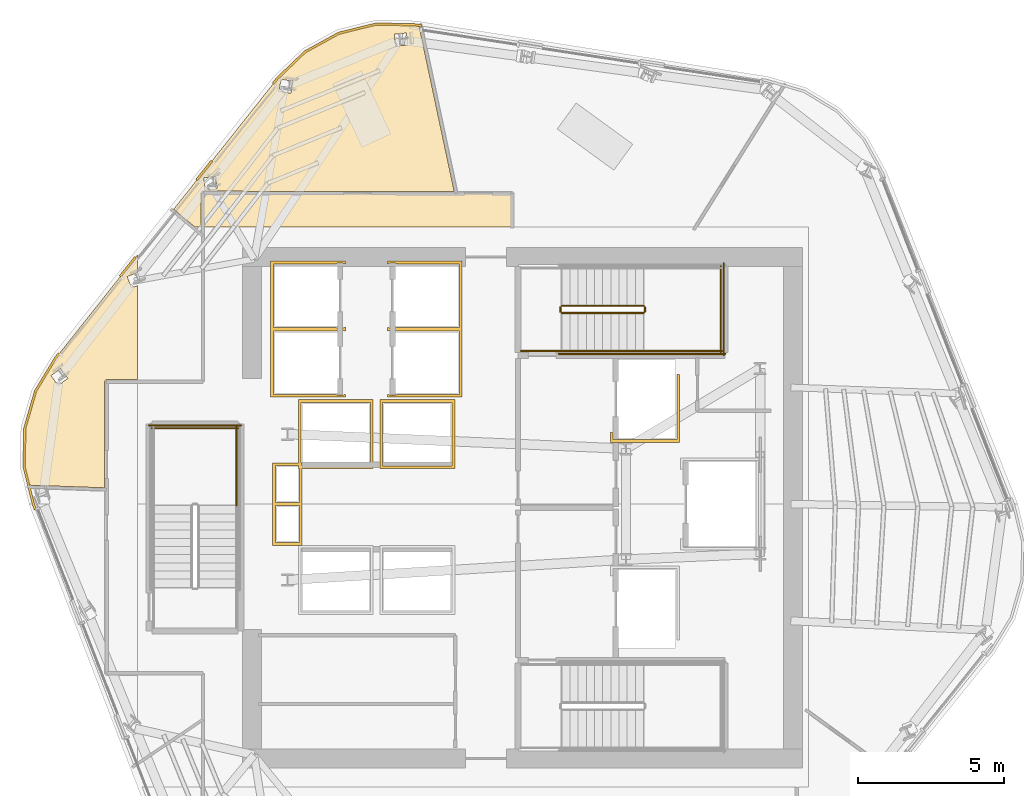
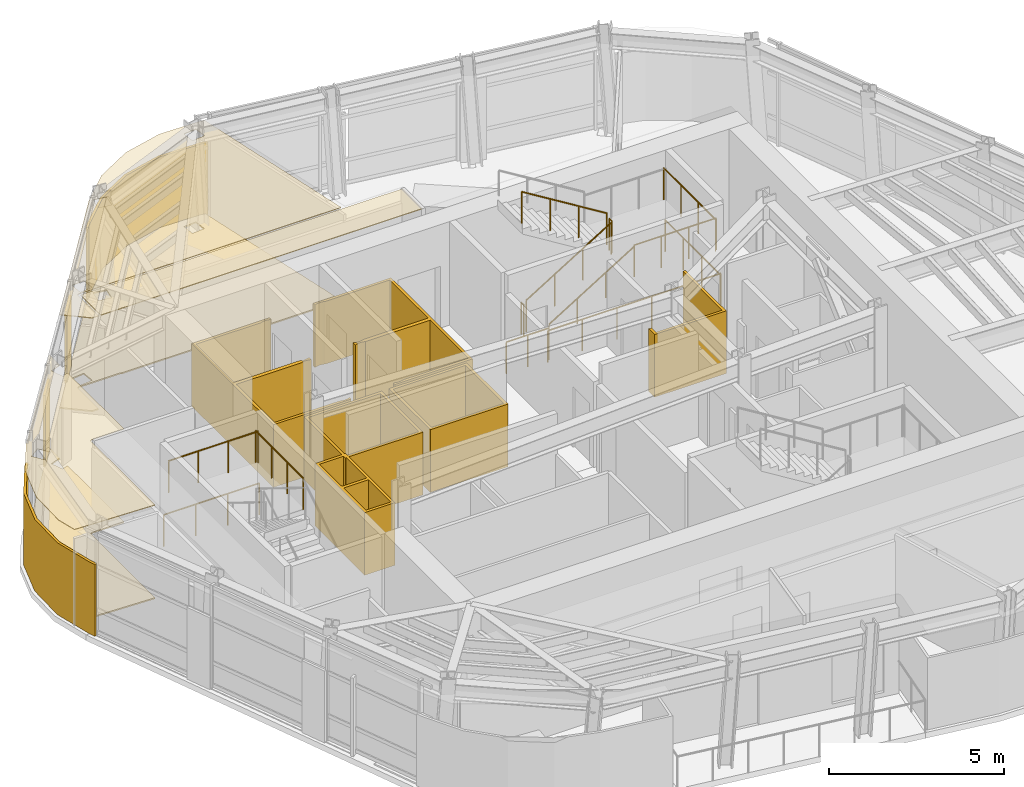
# One storey, part 10 of 12: 14 coverings, 13 railings.
"""IFC4 building model written with IfcOpenShell, lengths in metres."""

from ifc_helpers import new_model, si_unit, direction, frame, origin, origin_2d, place, context, subcontext, project, spatial, polyline, circle, outline, extrude, material, layer, layer_set, type_object, element, save


model = new_model("IFC4")

# Units and contexts
model_context = context("Model", 3, precision=1e-05, world=origin(), true_north=direction((0.0, 1.0)))
body_context = subcontext(model_context, "Body", "Model", "MODEL_VIEW")
ifc_project = project(units=[si_unit("LENGTHUNIT", "METRE"), si_unit("AREAUNIT", "SQUARE_METRE"), si_unit("VOLUMEUNIT", "CUBIC_METRE"), si_unit("PLANEANGLEUNIT", "RADIAN"), si_unit("MASSUNIT", "GRAM", prefix="KILO")], contexts=[model_context])

# Site, building, storey
site_placement = place(None, origin())
site = spatial("IfcSite", under=ifc_project, at=site_placement, CompositionType="ELEMENT")
building_placement = place(site_placement, origin())
building = spatial("IfcBuilding", under=site, at=building_placement, Name="Valkerne Bourse Tower", CompositionType="ELEMENT")
storey_placement = place(building_placement, frame((0.0, 0.0, 243.60009765625)))
storey = spatial("IfcBuildingStorey", under=building, at=storey_placement, Name="L62", CompositionType="ELEMENT", Elevation=243.60009765625)

# Coverings
ifc_material_1 = material(Name="Mineral Fiber Acoustic Ceiling Tile", Category="acoustic")
ifc_layer_1 = layer(ifc_material_1, 0.02490234375)
ifc_layer_set_1 = layer_set([ifc_layer_1], Name="Mineral Fiber Acoustic Ceiling Tile")
covering_type_1 = type_object("IfcCoveringType", Name="COV-CEIL-ACT", PredefinedType="CEILING", material=ifc_layer_set_1)
covering_1_placement = place(storey_placement, frame((0.0, 0.0, 3.25)))
element("IfcCovering", 1, at=covering_1_placement, inside=storey, type_object=covering_type_1, Name="L62 Suspended Ceiling 07", PredefinedType="CEILING", context=body_context, shape_type="SweptSolid", body=[
    extrude(outline(polyline([(30.1162109375, 30.87646484375), (30.804931640625, 32.013671875), (33.60009765625, 35.5380859375), (33.60009765625, 34.9345703125), (33.251220703125, 34.801513671875), (33.25, 34.799560546875), (33.398193359375, 34.412841796875), (33.60009765625, 34.48974609375), (33.60009765625, 31.26904296875), (32.549560546875, 31.26904296875), (32.52099609375, 31.2626953125), (32.498291015625, 31.245849609375), (32.48095703125, 31.20068359375), (32.48095703125, 27.55908203125), (29.877685546875, 27.64990234375), (29.720703125, 28.2900390625), (29.748291015625, 29.609375), (30.1162109375, 30.87646484375)]), holes=[polyline([(31.216552734375, 31.310546875), (30.97509765625, 31.64697265625), (30.640380859375, 31.40771484375), (30.6396484375, 31.405517578125), (30.881103515625, 31.069091796875), (31.2158203125, 31.30810546875), (31.216552734375, 31.310546875)])]), origin(), (0.0, 0.0, 1.0), 0.02490234375),
])
covering_2_placement = place(storey_placement, frame((0.0, 0.0, 3.25)))
element("IfcCovering", 2, at=covering_2_placement, inside=storey, type_object=covering_type_1, Name="L62 Suspended Ceiling 09", PredefinedType="CEILING", context=body_context, shape_type="SweptSolid", body=[
    extrude(outline(polyline([(40.50830078125, 43.13720703125), (41.789794921875, 43.451904296875), (43.118408203125, 43.424072265625), (43.253173828125, 43.40283203125), (44.46337890625, 37.708984375), (37.248046875, 37.708984375), (37.22900390625, 37.72265625), (37.200439453125, 37.72900390625), (35.839111328125, 37.728271484375), (35.79833984375, 37.7060546875), (35.781005859375, 37.66357421875), (35.781005859375, 36.5), (35.570068359375, 36.5), (34.84521484375, 37.108154296875), (38.39306640625, 41.581787109375), (39.35205078125, 42.50146484375), (40.50830078125, 43.13720703125)]), holes=[polyline([(36.32861328125, 37.814208984375), (36.330078125, 37.815673828125), (36.29248046875, 38.22802734375), (35.8828125, 38.19140625), (35.881103515625, 38.18994140625), (35.918701171875, 37.777587890625), (36.32861328125, 37.814208984375)]), polyline([(38.864501953125, 41.08740234375), (38.932373046875, 41.495849609375), (38.52685546875, 41.564208984375), (38.524658203125, 41.56298828125), (38.456787109375, 41.154541015625), (38.8623046875, 41.086181640625), (38.864501953125, 41.08740234375)]), polyline([(42.865234375, 42.739990234375), (42.824951171875, 43.14990234375), (42.413330078125, 43.109619140625), (42.4111328125, 43.10888671875), (42.451416015625, 42.69921875), (42.863037109375, 42.739501953125), (42.865234375, 42.739990234375)])]), origin(), (0.0, 0.0, 1.0), 0.02490234375),
])
ifc_material_2 = material(Name="Bronze Anodised Aluminium AA 6063-T6", Category="aluminium")
ifc_layer_2 = layer(ifc_material_2, 0.030029296875)
ifc_layer_set_2 = layer_set([ifc_layer_2], Name="Bronze Anodised Aluminium AA 6063-T6")
covering_type_2 = type_object("IfcCoveringType", Name="COV-CEIL-METAL", PredefinedType="CEILING", material=ifc_layer_set_2)
covering_3_placement = place(storey_placement, frame((0.0, 0.0, 3.25)))
element("IfcCovering", 3, at=covering_3_placement, inside=storey, type_object=covering_type_2, Name="L62 Suspended Ceiling 03", PredefinedType="CEILING", context=body_context, shape_type="SweptSolid", body=[
    extrude(outline(polyline([(35.85400390625, 37.656005859375), (37.196044921875, 37.656005859375), (37.196044921875, 37.635986328125), (46.446044921875, 37.635986328125), (46.446044921875, 36.5), (35.85400390625, 36.5), (35.85400390625, 37.656005859375)])), origin(), (0.0, 0.0, 1.0), 0.02490234375),
])
ifc_layer_3 = layer(ifc_material_2, 0.06005859375)
ifc_layer_set_3 = layer_set([ifc_layer_3], Name="Bronze Anodised Aluminium AA 6063-T6")
covering_type_3 = type_object("IfcCoveringType", Name="COV-CRN-ALUM", PredefinedType="CLADDING", material=ifc_layer_set_3)
covering_4_placement = place(storey_placement, origin())
element("IfcCovering", 4, at=covering_4_placement, inside=storey, type_object=covering_type_3, Name="L62 Wind-Shaped Corner Aluminium Cladding 04", PredefinedType="CLADDING", context=body_context, shape_type="SweptSolid", body=[
    extrude(outline(polyline([(29.99560546875, 26.98583984375), (29.676513671875, 28.28515625), (29.704345703125, 29.615966796875), (30.07568359375, 30.894287109375), (30.768798828125, 32.038818359375), (30.888671875, 32.18994140625), (30.951171875, 32.139892578125), (30.834716796875, 31.992919921875), (30.1494140625, 30.86181640625), (29.7841796875, 29.603759765625), (29.756591796875, 28.2939453125), (30.072021484375, 27.009765625), (30.139404296875, 26.834716796875), (30.064697265625, 26.8056640625), (29.99560546875, 26.98583984375)])), origin(), (0.0, 0.0, 1.0), 2.5),
])
covering_5_placement = place(storey_placement, origin())
element("IfcCovering", 5, at=covering_5_placement, inside=storey, type_object=covering_type_3, Name="L62 Wind-Shaped Corner Aluminium Cladding 05", PredefinedType="CLADDING", context=body_context, shape_type="SweptSolid", body=[
    extrude(outline(polyline([(33.506103515625, 35.490234375), (33.568359375, 35.440185546875), (33.04638671875, 34.781982421875), (32.98388671875, 34.83203125), (33.506103515625, 35.490234375)])), origin(), (0.0, 0.0, 1.0), 2.5),
])
covering_6_placement = place(storey_placement, origin())
element("IfcCovering", 6, at=covering_6_placement, inside=storey, type_object=covering_type_3, Name="L62 Wind-Shaped Corner Aluminium Cladding 06", PredefinedType="CLADDING", context=body_context, shape_type="SweptSolid", body=[
    extrude(outline(polyline([(36.123291015625, 38.79052734375), (36.185546875, 38.740478515625), (35.663818359375, 38.082275390625), (35.601318359375, 38.13232421875), (36.123291015625, 38.79052734375)])), origin(), (0.0, 0.0, 1.0), 2.5),
])
covering_7_placement = place(storey_placement, origin())
element("IfcCovering", 7, at=covering_7_placement, inside=storey, type_object=covering_type_3, Name="L62 Wind-Shaped Corner Aluminium Cladding 07", PredefinedType="CLADDING", context=body_context, shape_type="SweptSolid", body=[
    extrude(outline(polyline([(38.3603515625, 41.611572265625), (39.32568359375, 42.537109375), (40.4921875, 43.178466796875), (41.784912109375, 43.49609375), (43.122314453125, 43.468017578125), (43.347900390625, 43.432373046875), (43.335693359375, 43.353271484375), (43.114990234375, 43.38818359375), (41.793701171875, 43.415771484375), (40.521484375, 43.103271484375), (39.37353515625, 42.47216796875), (38.419677734375, 41.5576171875), (38.281005859375, 41.382568359375), (38.218505859375, 41.4326171875), (38.3603515625, 41.611572265625)])), origin(), (0.0, 0.0, 1.0), 2.5),
])
ifc_material_3 = material(Name="Galvanised Painted Steel", Category="steel")
ifc_layer_4 = layer(ifc_material_3, 0.044921875)
ifc_layer_set_4 = layer_set([ifc_layer_4], Name="Galvanised Painted Steel")
covering_type_4 = type_object("IfcCoveringType", Name="COV-FLR-RAF", PredefinedType="FLOORING", material=ifc_layer_set_4)
covering_8_placement = place(storey_placement, origin())
element("IfcCovering", 8, at=covering_8_placement, inside=storey, type_object=covering_type_4, Name="L62 Floor Finish 07", PredefinedType="FLOORING", context=body_context, shape_type="SweptSolid", body=[
    extrude(outline(polyline([(30.1162109375, 30.87646484375), (30.804931640625, 32.013671875), (33.60009765625, 35.5380859375), (33.60009765625, 34.9345703125), (33.251220703125, 34.801513671875), (33.25, 34.799560546875), (33.398193359375, 34.412841796875), (33.60009765625, 34.48974609375), (33.60009765625, 31.26904296875), (32.549560546875, 31.26904296875), (32.52099609375, 31.2626953125), (32.498291015625, 31.245849609375), (32.48095703125, 31.20068359375), (32.48095703125, 27.55908203125), (29.877685546875, 27.64990234375), (29.720703125, 28.2900390625), (29.748291015625, 29.609375), (30.1162109375, 30.87646484375)]), holes=[polyline([(31.216552734375, 31.310546875), (30.97509765625, 31.64697265625), (30.640380859375, 31.40771484375), (30.6396484375, 31.405517578125), (30.881103515625, 31.069091796875), (31.2158203125, 31.30810546875), (31.216552734375, 31.310546875)])]), origin(), (0.0, 0.0, 1.0), 0.044921875),
])
covering_9_placement = place(storey_placement, origin())
element("IfcCovering", 9, at=covering_9_placement, inside=storey, type_object=covering_type_4, Name="L62 Floor Finish 09", PredefinedType="FLOORING", context=body_context, shape_type="SweptSolid", body=[
    extrude(outline(polyline([(40.50830078125, 43.13720703125), (41.789794921875, 43.451904296875), (43.118408203125, 43.424072265625), (43.253173828125, 43.40283203125), (44.46337890625, 37.708984375), (37.248046875, 37.708984375), (37.22900390625, 37.72265625), (37.200439453125, 37.72900390625), (35.839111328125, 37.728271484375), (35.79833984375, 37.7060546875), (35.781005859375, 37.66357421875), (35.781005859375, 36.5), (35.570068359375, 36.5), (34.84521484375, 37.108154296875), (38.39306640625, 41.581787109375), (39.35205078125, 42.50146484375), (40.50830078125, 43.13720703125)]), holes=[polyline([(36.32861328125, 37.814208984375), (36.330078125, 37.815673828125), (36.29248046875, 38.22802734375), (35.8828125, 38.19140625), (35.881103515625, 38.18994140625), (35.918701171875, 37.777587890625), (36.32861328125, 37.814208984375)]), polyline([(38.864501953125, 41.08740234375), (38.932373046875, 41.495849609375), (38.52685546875, 41.564208984375), (38.524658203125, 41.56298828125), (38.456787109375, 41.154541015625), (38.8623046875, 41.086181640625), (38.864501953125, 41.08740234375)]), polyline([(42.865234375, 42.739990234375), (42.824951171875, 43.14990234375), (42.413330078125, 43.109619140625), (42.4111328125, 43.10888671875), (42.451416015625, 42.69921875), (42.863037109375, 42.739501953125), (42.865234375, 42.739990234375)])]), origin(), (0.0, 0.0, 1.0), 0.044921875),
])
ifc_material_4 = material(Name="Gypsum Shaftwall Liner Board", Category="gypsum")
ifc_layer_5 = layer(ifc_material_4, 0.080078125)
ifc_layer_set_5 = layer_set([ifc_layer_5], Name="Gypsum Shaftwall Liner Board")
covering_type_5 = type_object("IfcCoveringType", Name="COV-SHF-CLAD", PredefinedType="CLADDING", material=ifc_layer_set_5)
covering_10_placement = place(storey_placement, origin())
element("IfcCovering", 10, at=covering_10_placement, inside=storey, type_object=covering_type_5, Name="L62 Hoistway & Riser Shaftwall Liner 03", PredefinedType="CLADDING", context=body_context, shape_type="SweptSolid", body=[
    extrude(outline(polyline([(38.239990234375, 28.409912109375), (39.1201171875, 28.409912109375), (39.1201171875, 30.580078125), (41.679931640625, 30.580078125), (41.679931640625, 28.219970703125), (39.239990234375, 28.219970703125), (39.239990234375, 27.0400390625), (39.239990234375, 26.9599609375), (39.239990234375, 25.590087890625), (38.239990234375, 25.590087890625), (38.239990234375, 26.9599609375), (38.239990234375, 27.0400390625), (38.239990234375, 28.409912109375)]), holes=[polyline([(38.330078125, 26.949951171875), (38.330078125, 25.679931640625), (39.14990234375, 25.679931640625), (39.14990234375, 26.949951171875), (38.330078125, 26.949951171875)]), polyline([(39.2099609375, 30.489990234375), (39.2099609375, 28.409912109375), (39.239990234375, 28.409912109375), (39.239990234375, 28.31005859375), (41.590087890625, 28.31005859375), (41.590087890625, 30.489990234375), (39.2099609375, 30.489990234375)]), polyline([(38.330078125, 27.050048828125), (39.14990234375, 27.050048828125), (39.14990234375, 28.219970703125), (39.1201171875, 28.219970703125), (39.1201171875, 28.320068359375), (38.330078125, 28.320068359375), (38.330078125, 27.050048828125)])]), origin(), (0.0, 0.0, 1.0), 2.179931640625),
])
covering_11_placement = place(storey_placement, origin())
element("IfcCovering", 11, at=covering_11_placement, inside=storey, type_object=covering_type_5, Name="L62 Hoistway & Riser Shaftwall Liner 04", PredefinedType="CLADDING", context=body_context, shape_type="SweptSolid", body=[
    extrude(outline(polyline([(38.169921875, 35.330078125), (40.72998046875, 35.330078125), (40.72998046875, 35.232177734375), (40.72216796875, 35.235595703125), (40.6806640625, 35.25048828125), (40.6376953125, 35.261474609375), (40.593994140625, 35.267822265625), (40.550048828125, 35.27001953125), (40.505859375, 35.267822265625), (40.462158203125, 35.261474609375), (40.41943359375, 35.25048828125), (40.3896484375, 35.239990234375), (38.260009765625, 35.239990234375), (38.260009765625, 33.06005859375), (40.3896484375, 33.06005859375), (40.41943359375, 33.04931640625), (40.462158203125, 33.03857421875), (40.505859375, 33.0322265625), (40.550048828125, 33.030029296875), (40.593994140625, 33.0322265625), (40.6376953125, 33.03857421875), (40.6806640625, 33.04931640625), (40.72216796875, 33.064208984375), (40.72998046875, 33.06787109375), (40.72998046875, 33.030029296875), (40.72998046875, 32.969970703125), (40.72998046875, 32.93212890625), (40.72216796875, 32.935791015625), (40.6806640625, 32.95068359375), (40.6376953125, 32.96142578125), (40.593994140625, 32.9677734375), (40.550048828125, 32.969970703125), (40.505859375, 32.9677734375), (40.462158203125, 32.96142578125), (40.41943359375, 32.95068359375), (40.3896484375, 32.93994140625), (38.260009765625, 32.93994140625), (38.260009765625, 30.760009765625), (40.3896484375, 30.760009765625), (40.41943359375, 30.74951171875), (40.462158203125, 30.738525390625), (40.505859375, 30.732177734375), (40.550048828125, 30.72998046875), (40.593994140625, 30.732177734375), (40.6376953125, 30.738525390625), (40.6806640625, 30.74951171875), (40.72216796875, 30.764404296875), (40.72998046875, 30.767822265625), (40.72998046875, 30.669921875), (38.169921875, 30.669921875), (38.169921875, 32.969970703125), (38.169921875, 33.030029296875), (38.169921875, 35.330078125)])), origin(), (0.0, 0.0, 1.0), 2.179931640625),
])
covering_12_placement = place(storey_placement, origin())
element("IfcCovering", 12, at=covering_12_placement, inside=storey, type_object=covering_type_5, Name="L62 Hoistway & Riser Shaftwall Liner 07", PredefinedType="CLADDING", context=body_context, shape_type="SweptSolid", body=[
    extrude(outline(polyline([(44.47998046875, 28.219970703125), (41.919921875, 28.219970703125), (41.919921875, 30.580078125), (44.47998046875, 30.580078125), (44.47998046875, 28.219970703125)]), holes=[polyline([(42.010009765625, 30.489990234375), (42.010009765625, 28.31005859375), (44.389892578125, 28.31005859375), (44.389892578125, 30.489990234375), (42.010009765625, 30.489990234375)])]), origin(), (0.0, 0.0, 1.0), 2.179931640625),
])
covering_13_placement = place(storey_placement, origin())
element("IfcCovering", 13, at=covering_13_placement, inside=storey, type_object=covering_type_5, Name="L62 Hoistway & Riser Shaftwall Liner 08", PredefinedType="CLADDING", context=body_context, shape_type="SweptSolid", body=[
    extrude(outline(polyline([(49.820068359375, 29.1201171875), (49.820068359375, 29.468017578125), (49.827880859375, 29.46435546875), (49.869384765625, 29.449462890625), (49.909912109375, 29.439208984375), (49.909912109375, 29.2099609375), (52.090087890625, 29.2099609375), (52.090087890625, 31.449951171875), (52.179931640625, 31.449951171875), (52.179931640625, 29.1201171875), (49.820068359375, 29.1201171875)])), origin(), (0.0, 0.0, 1.0), 2.179931640625),
])
covering_14_placement = place(storey_placement, origin())
element("IfcCovering", 14, at=covering_14_placement, inside=storey, type_object=covering_type_5, Name="L62 Hoistway & Riser Shaftwall Liner 09", PredefinedType="CLADDING", context=body_context, shape_type="SweptSolid", body=[
    extrude(outline(polyline([(42.169921875, 33.06787109375), (42.177734375, 33.064208984375), (42.219482421875, 33.04931640625), (42.26220703125, 33.03857421875), (42.305908203125, 33.0322265625), (42.35009765625, 33.030029296875), (42.39404296875, 33.0322265625), (42.437744140625, 33.03857421875), (42.480712890625, 33.04931640625), (42.51025390625, 33.06005859375), (44.639892578125, 33.06005859375), (44.639892578125, 35.239990234375), (42.51025390625, 35.239990234375), (42.480712890625, 35.25048828125), (42.437744140625, 35.261474609375), (42.39404296875, 35.267822265625), (42.35009765625, 35.27001953125), (42.305908203125, 35.267822265625), (42.26220703125, 35.261474609375), (42.219482421875, 35.25048828125), (42.177734375, 35.235595703125), (42.169921875, 35.232177734375), (42.169921875, 35.330078125), (44.72998046875, 35.330078125), (44.72998046875, 33.030029296875), (44.72998046875, 32.969970703125), (44.72998046875, 30.669921875), (42.169921875, 30.669921875), (42.169921875, 30.767822265625), (42.177734375, 30.764404296875), (42.219482421875, 30.74951171875), (42.26220703125, 30.738525390625), (42.305908203125, 30.732177734375), (42.35009765625, 30.72998046875), (42.39404296875, 30.732177734375), (42.437744140625, 30.738525390625), (42.480712890625, 30.74951171875), (42.51025390625, 30.760009765625), (44.639892578125, 30.760009765625), (44.639892578125, 32.93994140625), (42.51025390625, 32.93994140625), (42.480712890625, 32.95068359375), (42.437744140625, 32.96142578125), (42.39404296875, 32.9677734375), (42.35009765625, 32.969970703125), (42.305908203125, 32.9677734375), (42.26220703125, 32.96142578125), (42.219482421875, 32.95068359375), (42.177734375, 32.935791015625), (42.169921875, 32.93212890625), (42.169921875, 32.969970703125), (42.169921875, 33.030029296875), (42.169921875, 33.06787109375)])), origin(), (0.0, 0.0, 1.0), 2.179931640625),
])

# Railings
railing_type_1 = type_object("IfcRailingType", Name="RLG-ST-GUARD-1120", PredefinedType="GUARDRAIL", material=ifc_material_3)
railing_1_placement = place(storey_placement, frame((48.14990234375, 33.550048828125, 0.172607421875)))
element("IfcRailing", 15, at=railing_1_placement, inside=storey, type_object=railing_type_1, Name="L62 ST-2 stair guard 1", PredefinedType="GUARDRAIL", context=body_context, shape_type="SweptSolid", body=[
    extrude(circle(Radius=0.02392578125, at=origin_2d()), frame((0.0, 0.0, 1.09619140625), z_axis=(0.851089632645, 0.0, 0.525020415988), x_axis=(0.0, 1.0, 0.0)), (0.0, 0.0, 1.0), 3.2900390625),
    extrude(circle(Radius=0.02099609375, at=origin_2d()), origin(), (0.0, 0.0, 1.0), 1.072021484375),
    extrude(circle(Radius=0.02099609375, at=origin_2d()), frame((0.933349609375, 0.0, 0.57568359375)), (0.0, 0.0, 1.0), 1.072021484375),
    extrude(circle(Radius=0.02099609375, at=origin_2d()), frame((1.86669921875, 0.0, 1.151611328125)), (0.0, 0.0, 1.0), 1.072021484375),
    extrude(circle(Radius=0.02099609375, at=origin_2d()), frame((2.800048828125, 0.0, 1.727294921875)), (0.0, 0.0, 1.0), 1.072021484375),
])
railing_2_placement = place(storey_placement, frame((51.0, 33.60009765625, 1.89990234375)))
element("IfcRailing", 16, at=railing_2_placement, inside=storey, type_object=railing_type_1, Name="L62 ST-2 stair guard 2", PredefinedType="GUARDRAIL", context=body_context, shape_type="SweptSolid", body=[
    extrude(circle(Radius=0.02392578125, at=origin_2d()), frame((0.0, 0.0, 1.09619140625), z_axis=(0.0, 1.0, 0.0), x_axis=(-1.0, 0.0, 0.0)), (0.0, 0.0, 1.0), 0.14990234375),
    extrude(circle(Radius=0.02099609375, at=origin_2d()), origin(), (0.0, 0.0, 1.0), 1.072021484375),
    extrude(circle(Radius=0.02099609375, at=origin_2d()), frame((0.0, 0.14990234375, 0.0)), (0.0, 0.0, 1.0), 1.072021484375),
])
railing_3_placement = place(storey_placement, frame((50.949951171875, 32.25, 1.89990234375)))
element("IfcRailing", 17, at=railing_3_placement, inside=storey, type_object=railing_type_1, Name="L62 ST-2 stair guard 3", PredefinedType="GUARDRAIL", context=body_context, shape_type="SweptSolid", body=[
    extrude(circle(Radius=0.02392578125, at=origin_2d()), frame((0.0, 0.0, 1.09619140625), z_axis=(1.0, 0.0, 0.0), x_axis=(0.0, 1.0, 0.0)), (0.0, 0.0, 1.0), 2.699951171875),
    extrude(circle(Radius=0.02099609375, at=origin_2d()), origin(), (0.0, 0.0, 1.0), 1.072021484375),
    extrude(circle(Radius=0.02099609375, at=origin_2d()), frame((0.89990234375, 0.0, 0.0)), (0.0, 0.0, 1.0), 1.072021484375),
    extrude(circle(Radius=0.02099609375, at=origin_2d()), frame((1.800048828125, 0.0, 0.0)), (0.0, 0.0, 1.0), 1.072021484375),
    extrude(circle(Radius=0.02099609375, at=origin_2d()), frame((2.699951171875, 0.0, 0.0)), (0.0, 0.0, 1.0), 1.072021484375),
])
railing_4_placement = place(storey_placement, frame((53.60009765625, 32.199951171875, 1.89990234375)))
element("IfcRailing", 18, at=railing_4_placement, inside=storey, type_object=railing_type_1, Name="L62 ST-2 stair guard 5", PredefinedType="GUARDRAIL", context=body_context, shape_type="SweptSolid", body=[
    extrude(circle(Radius=0.02392578125, at=origin_2d()), frame((0.0, 0.0, 1.09619140625), z_axis=(0.0, 1.0, 0.0), x_axis=(-1.0, 0.0, 0.0)), (0.0, 0.0, 1.0), 2.949951171875),
    extrude(circle(Radius=0.02099609375, at=origin_2d()), origin(), (0.0, 0.0, 1.0), 1.072021484375),
    extrude(circle(Radius=0.02099609375, at=origin_2d()), frame((0.0, 0.9833984375, 0.0)), (0.0, 0.0, 1.0), 1.072021484375),
    extrude(circle(Radius=0.02099609375, at=origin_2d()), frame((0.0, 1.966552734375, 0.0)), (0.0, 0.0, 1.0), 1.072021484375),
    extrude(circle(Radius=0.02099609375, at=origin_2d()), frame((0.0, 2.949951171875, 0.0)), (0.0, 0.0, 1.0), 1.072021484375),
])
railing_5_placement = place(storey_placement, frame((50.949951171875, 33.800048828125, 2.072509765625)))
element("IfcRailing", 19, at=railing_5_placement, inside=storey, type_object=railing_type_1, Name="L62 ST-2 stair guard 6", PredefinedType="GUARDRAIL", context=body_context, shape_type="SweptSolid", body=[
    extrude(circle(Radius=0.02392578125, at=origin_2d()), frame((0.0, 0.0, 1.09619140625), z_axis=(-0.851089632645, 0.0, 0.525020415988), x_axis=(0.0, -1.0, 0.0)), (0.0, 0.0, 1.0), 3.2900390625),
    extrude(circle(Radius=0.02099609375, at=origin_2d()), origin(), (0.0, 0.0, 1.0), 1.072021484375),
    extrude(circle(Radius=0.02099609375, at=origin_2d()), frame((-0.933349609375, 0.0, 0.57568359375)), (0.0, 0.0, 1.0), 1.072021484375),
    extrude(circle(Radius=0.02099609375, at=origin_2d()), frame((-1.86669921875, 0.0, 1.151611328125)), (0.0, 0.0, 1.0), 1.072021484375),
    extrude(circle(Radius=0.02099609375, at=origin_2d()), frame((-2.800048828125, 0.0, 1.727294921875)), (0.0, 0.0, 1.0), 1.072021484375),
])
railing_6_placement = place(storey_placement, frame((48.10009765625, 33.60009765625, 0.0)))
element("IfcRailing", 20, at=railing_6_placement, inside=storey, type_object=railing_type_1, Name="L62 ST-2 stair guard 7", PredefinedType="GUARDRAIL", context=body_context, shape_type="SweptSolid", body=[
    extrude(circle(Radius=0.02392578125, at=origin_2d()), frame((0.0, 0.0, 1.09619140625), z_axis=(0.0, 1.0, 0.0), x_axis=(-1.0, 0.0, 0.0)), (0.0, 0.0, 1.0), 0.14990234375),
    extrude(circle(Radius=0.02099609375, at=origin_2d()), origin(), (0.0, 0.0, 1.0), 1.072021484375),
    extrude(circle(Radius=0.02099609375, at=origin_2d()), frame((0.0, 0.14990234375, 0.0)), (0.0, 0.0, 1.0), 1.072021484375),
])
railing_7_placement = place(storey_placement, frame((46.75, 32.25, 0.0)))
element("IfcRailing", 21, at=railing_7_placement, inside=storey, type_object=railing_type_1, Name="L62 ST-2 stair guard 8", PredefinedType="GUARDRAIL", context=body_context, shape_type="SweptSolid", body=[
    extrude(circle(Radius=0.02392578125, at=origin_2d()), frame((0.0, 0.0, 1.09619140625), z_axis=(1.0, 0.0, 0.0), x_axis=(0.0, 1.0, 0.0)), (0.0, 0.0, 1.0), 1.39990234375),
    extrude(circle(Radius=0.02099609375, at=origin_2d()), origin(), (0.0, 0.0, 1.0), 1.072021484375),
    extrude(circle(Radius=0.02099609375, at=origin_2d()), frame((0.699951171875, 0.0, 0.0)), (0.0, 0.0, 1.0), 1.072021484375),
    extrude(circle(Radius=0.02099609375, at=origin_2d()), frame((1.39990234375, 0.0, 0.0)), (0.0, 0.0, 1.0), 1.072021484375),
])
railing_8_placement = place(storey_placement, frame((48.050048828125, 32.14990234375, 0.0)))
element("IfcRailing", 22, at=railing_8_placement, inside=storey, type_object=railing_type_1, Name="L62 ST-2 stair guard 10", PredefinedType="GUARDRAIL", context=body_context, shape_type="SweptSolid", body=[
    extrude(circle(Radius=0.02392578125, at=origin_2d()), frame((0.0, 0.0, 1.09619140625), z_axis=(1.0, 0.0, 0.0), x_axis=(0.0, 1.0, 0.0)), (0.0, 0.0, 1.0), 5.699951171875),
    extrude(circle(Radius=0.02099609375, at=origin_2d()), origin(), (0.0, 0.0, 1.0), 1.072021484375),
    extrude(circle(Radius=0.02099609375, at=origin_2d()), frame((1.139892578125, 0.0, 0.0)), (0.0, 0.0, 1.0), 1.072021484375),
    extrude(circle(Radius=0.02099609375, at=origin_2d()), frame((2.280029296875, 0.0, 0.0)), (0.0, 0.0, 1.0), 1.072021484375),
    extrude(circle(Radius=0.02099609375, at=origin_2d()), frame((3.419921875, 0.0, 0.0)), (0.0, 0.0, 1.0), 1.072021484375),
    extrude(circle(Radius=0.02099609375, at=origin_2d()), frame((4.56005859375, 0.0, 0.0)), (0.0, 0.0, 1.0), 1.072021484375),
    extrude(circle(Radius=0.02099609375, at=origin_2d()), frame((5.699951171875, 0.0, 0.0)), (0.0, 0.0, 1.0), 1.072021484375),
])
railing_9_placement = place(storey_placement, frame((53.699951171875, 32.10009765625, 0.0)))
element("IfcRailing", 23, at=railing_9_placement, inside=storey, type_object=railing_type_1, Name="L62 ST-2 stair guard 12", PredefinedType="GUARDRAIL", context=body_context, shape_type="SweptSolid", body=[
    extrude(circle(Radius=0.02392578125, at=origin_2d()), frame((0.0, 0.0, 1.09619140625), z_axis=(0.0, 1.0, 0.0), x_axis=(-1.0, 0.0, 0.0)), (0.0, 0.0, 1.0), 3.14990234375),
    extrude(circle(Radius=0.02099609375, at=origin_2d()), origin(), (0.0, 0.0, 1.0), 1.072021484375),
    extrude(circle(Radius=0.02099609375, at=origin_2d()), frame((0.0, 1.050048828125, 0.0)), (0.0, 0.0, 1.0), 1.072021484375),
    extrude(circle(Radius=0.02099609375, at=origin_2d()), frame((0.0, 2.099853515625, 0.0)), (0.0, 0.0, 1.0), 1.072021484375),
    extrude(circle(Radius=0.02099609375, at=origin_2d()), frame((0.0, 3.14990234375, 0.0)), (0.0, 0.0, 1.0), 1.072021484375),
])
railing_10_placement = place(storey_placement, frame((37.0, 26.949951171875, 1.89990234375)))
element("IfcRailing", 24, at=railing_10_placement, inside=storey, type_object=railing_type_1, Name="L62 ST-3 stair guard 3", PredefinedType="GUARDRAIL", context=body_context, shape_type="SweptSolid", body=[
    extrude(circle(Radius=0.02392578125, at=origin_2d()), frame((0.0, 0.0, 1.09619140625), z_axis=(0.0, 1.0, 0.0), x_axis=(-1.0, 0.0, 0.0)), (0.0, 0.0, 1.0), 2.699951171875),
    extrude(circle(Radius=0.02099609375, at=origin_2d()), origin(), (0.0, 0.0, 1.0), 1.072021484375),
    extrude(circle(Radius=0.02099609375, at=origin_2d()), frame((0.0, 0.89990234375, 0.0)), (0.0, 0.0, 1.0), 1.072021484375),
    extrude(circle(Radius=0.02099609375, at=origin_2d()), frame((0.0, 1.800048828125, 0.0)), (0.0, 0.0, 1.0), 1.072021484375),
    extrude(circle(Radius=0.02099609375, at=origin_2d()), frame((0.0, 2.699951171875, 0.0)), (0.0, 0.0, 1.0), 1.072021484375),
])
railing_11_placement = place(storey_placement, frame((37.050048828125, 29.60009765625, 1.89990234375)))
element("IfcRailing", 25, at=railing_11_placement, inside=storey, type_object=railing_type_1, Name="L62 ST-3 stair guard 5", PredefinedType="GUARDRAIL", context=body_context, shape_type="SweptSolid", body=[
    extrude(circle(Radius=0.02392578125, at=origin_2d()), frame((0.0, 0.0, 1.09619140625), z_axis=(-1.0, 0.0, 0.0), x_axis=(0.0, -1.0, 0.0)), (0.0, 0.0, 1.0), 2.949951171875),
    extrude(circle(Radius=0.02099609375, at=origin_2d()), origin(), (0.0, 0.0, 1.0), 1.072021484375),
    extrude(circle(Radius=0.02099609375, at=origin_2d()), frame((-0.9833984375, 0.0, 0.0)), (0.0, 0.0, 1.0), 1.072021484375),
    extrude(circle(Radius=0.02099609375, at=origin_2d()), frame((-1.966552734375, 0.0, 0.0)), (0.0, 0.0, 1.0), 1.072021484375),
    extrude(circle(Radius=0.02099609375, at=origin_2d()), frame((-2.949951171875, 0.0, 0.0)), (0.0, 0.0, 1.0), 1.072021484375),
])
railing_12_placement = place(storey_placement, frame((37.14990234375, 29.699951171875, 0.0)))
element("IfcRailing", 26, at=railing_12_placement, inside=storey, type_object=railing_type_1, Name="L62 ST-3 stair guard 12", PredefinedType="GUARDRAIL", context=body_context, shape_type="SweptSolid", body=[
    extrude(circle(Radius=0.02392578125, at=origin_2d()), frame((0.0, 0.0, 1.09619140625), z_axis=(-1.0, 0.0, 0.0), x_axis=(0.0, -1.0, 0.0)), (0.0, 0.0, 1.0), 3.14990234375),
    extrude(circle(Radius=0.02099609375, at=origin_2d()), origin(), (0.0, 0.0, 1.0), 1.072021484375),
    extrude(circle(Radius=0.02099609375, at=origin_2d()), frame((-1.050048828125, 0.0, 0.0)), (0.0, 0.0, 1.0), 1.072021484375),
    extrude(circle(Radius=0.02099609375, at=origin_2d()), frame((-2.099853515625, 0.0, 0.0)), (0.0, 0.0, 1.0), 1.072021484375),
    extrude(circle(Radius=0.02099609375, at=origin_2d()), frame((-3.14990234375, 0.0, 0.0)), (0.0, 0.0, 1.0), 1.072021484375),
])
ifc_material_5 = material(Name="Stainless Steel AISI 316", Category="steel")
railing_type_2 = type_object("IfcRailingType", Name="RLG-ST-HANDRAIL-900", PredefinedType="HANDRAIL", material=ifc_material_5)
railing_13_placement = place(storey_placement, frame((48.14990234375, 32.25, 0.345458984375)))
element("IfcRailing", 27, at=railing_13_placement, inside=storey, type_object=railing_type_2, Name="L62 ST-2 stair handrail 1", PredefinedType="HANDRAIL", context=body_context, shape_type="SweptSolid", body=[
    extrude(circle(Radius=0.02392578125, at=origin_2d()), frame((0.0, 0.0, 0.8759765625), z_axis=(0.851122791225, 0.0, 0.524966660138), x_axis=(0.0, 1.0, 0.0)), (0.0, 0.0, 1.0), 3.289794921875),
    extrude(circle(Radius=0.02099609375, at=origin_2d()), origin(), (0.0, 0.0, 1.0), 0.851806640625),
    extrude(circle(Radius=0.02099609375, at=origin_2d()), frame((0.933349609375, 0.0, 0.57568359375)), (0.0, 0.0, 1.0), 0.851806640625),
    extrude(circle(Radius=0.02099609375, at=origin_2d()), frame((1.86669921875, 0.0, 1.1513671875)), (0.0, 0.0, 1.0), 0.851806640625),
    extrude(circle(Radius=0.02099609375, at=origin_2d()), frame((2.800048828125, 0.0, 1.72705078125)), (0.0, 0.0, 1.0), 0.851806640625),
])

save(model, "model.ifc")
